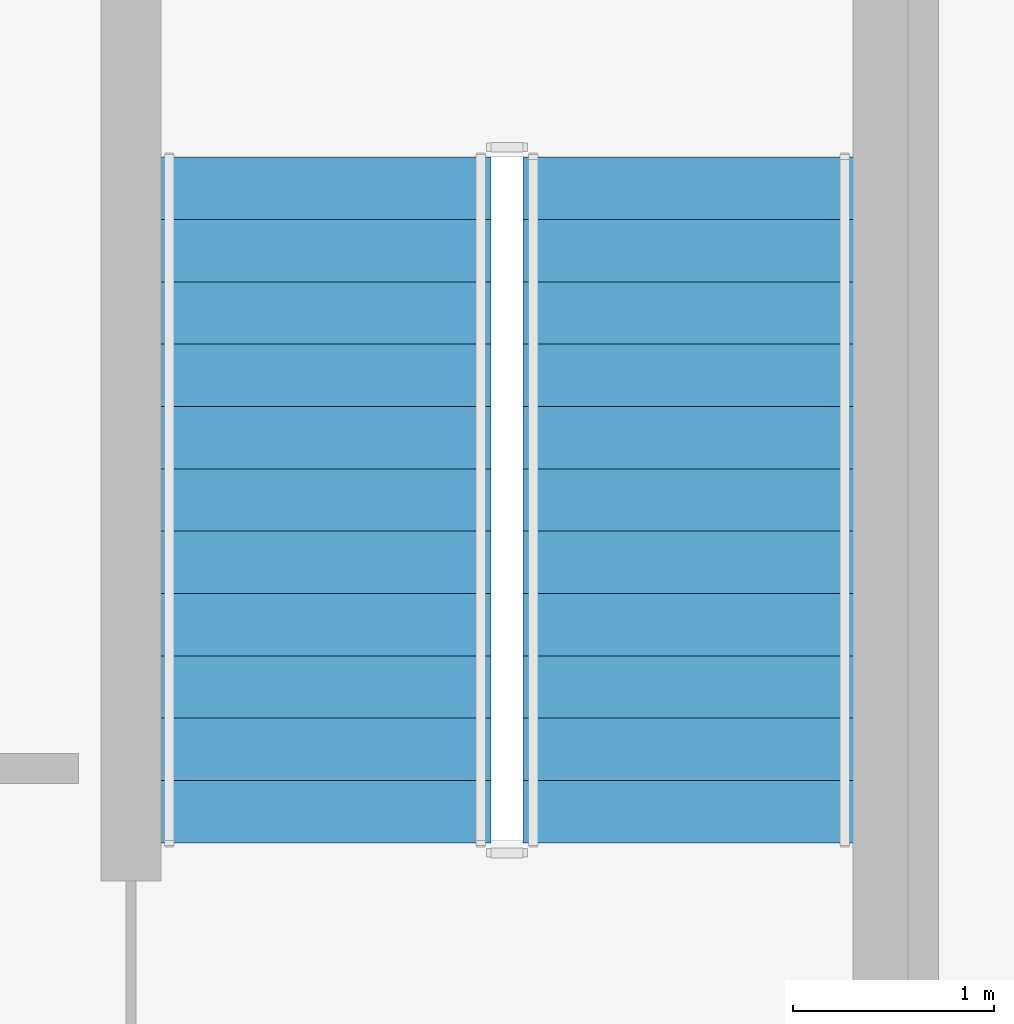
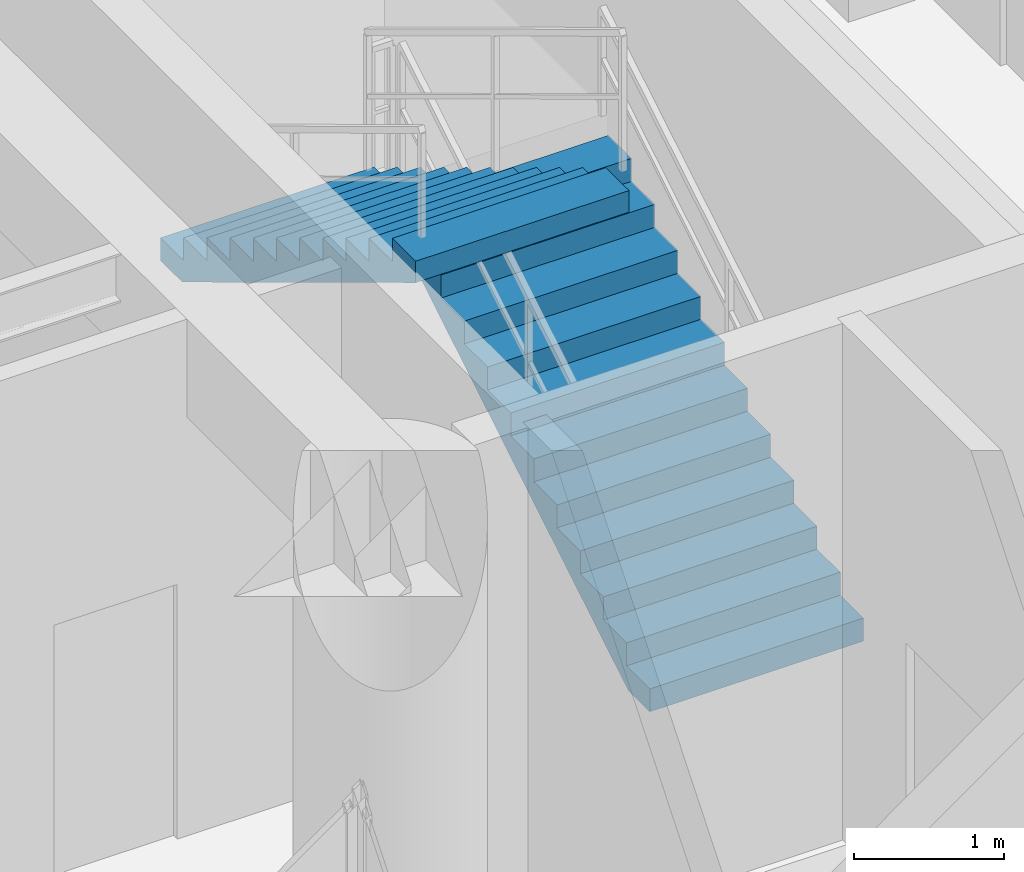
# One storey, part 10 of 13: 2 stair flights, 1 element without a shape of its own.
"""IFC4 building model written with IfcOpenShell, lengths in metres."""

from ifc_helpers import new_model, si_unit, direction, frame, origin, place, context, subcontext, project, spatial, polyline, outline, extrude, material, type_object, element, aggregate, save


model = new_model("IFC4")

# Units and contexts
model_context = context("Model", 3, precision=1e-05, world=origin(), true_north=direction((0.0, 1.0)))
body_context = subcontext(model_context, "Body", "Model", "MODEL_VIEW")
ifc_project = project(units=[si_unit("LENGTHUNIT", "METRE"), si_unit("AREAUNIT", "SQUARE_METRE"), si_unit("VOLUMEUNIT", "CUBIC_METRE"), si_unit("PLANEANGLEUNIT", "RADIAN"), si_unit("MASSUNIT", "GRAM", prefix="KILO")], contexts=[model_context])

# Site, building, storey
site_placement = place(None, origin())
site = spatial("IfcSite", under=ifc_project, at=site_placement, CompositionType="ELEMENT")
building_placement = place(site_placement, origin())
building = spatial("IfcBuilding", under=site, at=building_placement, Name="Kundavana Baori Tower", CompositionType="ELEMENT")
storey_placement = place(building_placement, frame((0.0, 0.0, 17.0)))
storey = spatial("IfcBuildingStorey", under=building, at=storey_placement, Name="L03", CompositionType="ELEMENT", Elevation=17.0)

# Stair, stair flights
ifc_material_1 = material(Name="Concrete C40/50", Category="concrete")
stair_type = type_object("IfcStairType", Name="STR-DOG-1650", PredefinedType="HALF_TURN_STAIR", material=ifc_material_1)
stair_placement = place(storey_placement, origin())
stair = element("IfcStair", 1, at=stair_placement, inside=storey, type_object=stair_type, Name="L03 Protected Exit Stair ST3", PredefinedType="HALF_TURN_STAIR")
ifc_material_2 = material(Name="Concrete C40/50", Category="concrete")
stair_flight_type = type_object("IfcStairFlightType", Name="SFL-RC-1650", PredefinedType="STRAIGHT", material=ifc_material_2)
stair_flight_1_placement = place(storey_placement, frame((37.7548828125, 34.949951171875, 0.0), z_axis=(0.0, 0.0, 1.0), x_axis=(0.0, 1.0, 0.0)))
stair_flight_1 = element("IfcStairFlight", 2, at=stair_flight_1_placement, type_object=stair_flight_type, Name="ST3 flight 1", NumberOfRisers=12, NumberOfTreads=11, PredefinedType="STRAIGHT", RiserHeight=0.1875, TreadLength=0.31, context=body_context, shape_type="SweptSolid", body=[
    extrude(outline(polyline([(0.0, 0.0), (0.0, 0.1875), (0.31005859375, 0.1875), (0.31005859375, 0.375), (0.6201171875, 0.375), (0.6201171875, 0.5625), (0.929931640625, 0.5625), (0.929931640625, 0.75), (1.239990234375, 0.75), (1.239990234375, 0.9375), (1.550048828125, 0.9375), (1.550048828125, 1.125), (1.860107421875, 1.125), (1.860107421875, 1.3125), (2.169921875, 1.3125), (2.169921875, 1.5), (2.47998046875, 1.5), (2.47998046875, 1.6875), (2.7900390625, 1.6875), (2.7900390625, 1.875), (3.10009765625, 1.875), (3.10009765625, 2.0625), (3.409912109375, 2.0625), (3.409912109375, 2.25), (3.409912109375, 1.88720703125), (0.28955078125, 0.0), (0.0, 0.0)])), frame((0.0, 0.824951171875, 0.0), z_axis=(0.0, -1.0, 0.0), x_axis=(1.0, 0.0, 0.0)), (0.0, 0.0, 1.0), 1.64990234375),
])
stair_flight_2_placement = place(storey_placement, frame((35.945068359375, 38.360107421875, 2.25), z_axis=(0.0, 0.0, 1.0), x_axis=(0.0, -1.0, 0.0)))
stair_flight_2 = element("IfcStairFlight", 3, at=stair_flight_2_placement, type_object=stair_flight_type, Name="ST3 flight 2", NumberOfRisers=12, NumberOfTreads=11, PredefinedType="STRAIGHT", RiserHeight=0.1875, TreadLength=0.31, context=body_context, shape_type="SweptSolid", body=[
    extrude(outline(polyline([(0.0, 0.0), (0.0, 0.1875), (0.31005859375, 0.1875), (0.31005859375, 0.375), (0.6201171875, 0.375), (0.6201171875, 0.5625), (0.929931640625, 0.5625), (0.929931640625, 0.75), (1.239990234375, 0.75), (1.239990234375, 0.9375), (1.550048828125, 0.9375), (1.550048828125, 1.125), (1.860107421875, 1.125), (1.860107421875, 1.3125), (2.169921875, 1.3125), (2.169921875, 1.5), (2.47998046875, 1.5), (2.47998046875, 1.6875), (2.7900390625, 1.6875), (2.7900390625, 1.875), (3.10009765625, 1.875), (3.10009765625, 2.0625), (3.409912109375, 2.0625), (3.409912109375, 2.25), (3.409912109375, 1.88720703125), (0.28955078125, 0.0), (0.0, 0.0)])), frame((0.0, 0.824951171875, 0.0), z_axis=(0.0, -1.0, 0.0), x_axis=(1.0, 0.0, 0.0)), (0.0, 0.0, 1.0), 1.64990234375),
])
aggregate(stair, [stair_flight_1, stair_flight_2])

save(model, "model.ifc")
